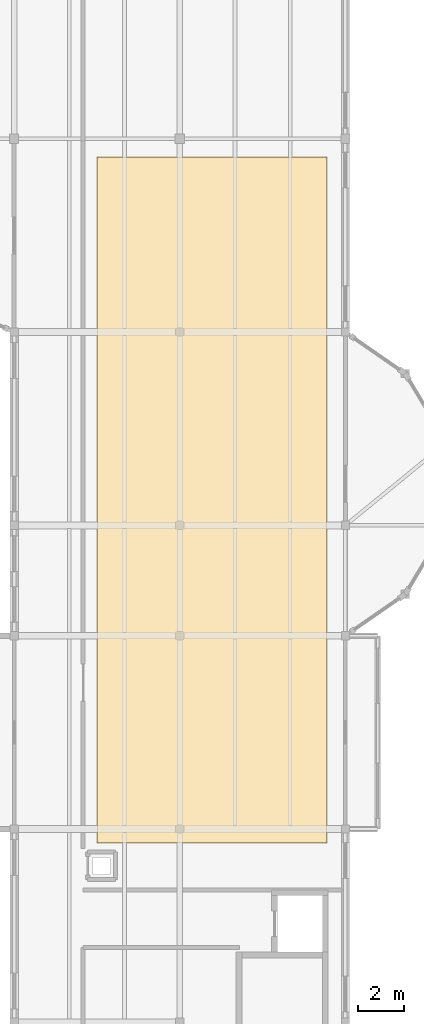
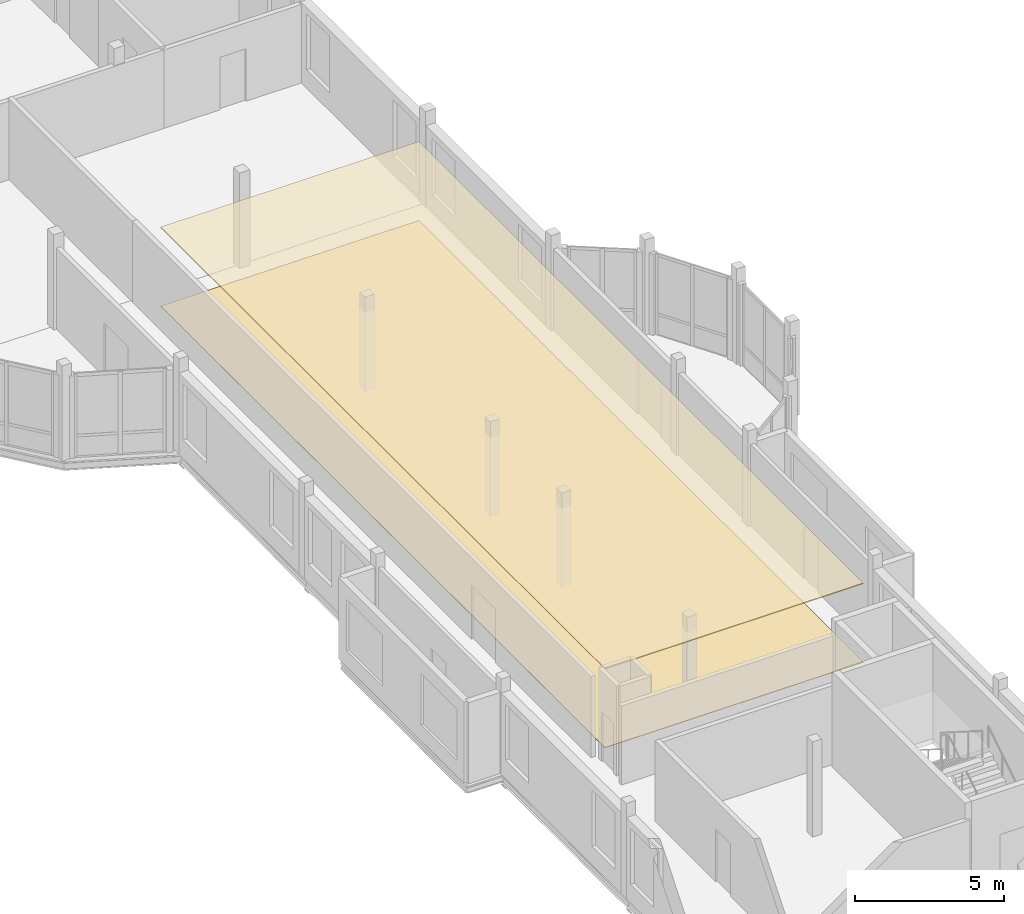
# One storey, part 34 of 34: 2 coverings.
"""IFC4 building model written with IfcOpenShell, lengths in metres."""

from ifc_helpers import new_model, si_unit, direction, frame, origin, place, context, subcontext, project, spatial, polyline, outline, extrude, material, layer, layer_set, type_object, element, save


model = new_model("IFC4")

# Units and contexts
model_context = context("Model", 3, precision=1e-05, world=origin(), true_north=direction((0.0, 1.0)))
body_context = subcontext(model_context, "Body", "Model", "MODEL_VIEW")
ifc_project = project(units=[si_unit("LENGTHUNIT", "METRE"), si_unit("AREAUNIT", "SQUARE_METRE"), si_unit("VOLUMEUNIT", "CUBIC_METRE"), si_unit("PLANEANGLEUNIT", "RADIAN"), si_unit("MASSUNIT", "GRAM", prefix="KILO")], contexts=[model_context])

# Site, building, storey
site_placement = place(None, origin())
site = spatial("IfcSite", under=ifc_project, at=site_placement, CompositionType="ELEMENT")
building_placement = place(site_placement, origin())
building = spatial("IfcBuilding", under=site, at=building_placement, Name="Kahlenmark Community Centre", CompositionType="ELEMENT")
storey_placement = place(building_placement, frame((0.0, 0.0, 17.699951171875)))
storey = spatial("IfcBuildingStorey", under=building, at=storey_placement, Name="L04", CompositionType="ELEMENT", Elevation=17.699951171875)

# Coverings
ifc_material_1 = material(Name="Perforated birch acoustic ceiling panel")
ifc_layer_1 = layer(ifc_material_1, 0.0400390625)
ifc_layer_set_1 = layer_set([ifc_layer_1], Name="Perforated birch acoustic ceiling panel")
covering_type_1 = type_object("IfcCoveringType", Name="CVT-CEIL-ACOUST", PredefinedType="CEILING", material=ifc_layer_set_1)
covering_1_placement = place(storey_placement, frame((0.0, 0.0, 3.219970703125)))
element("IfcCovering", 1, at=covering_1_placement, inside=storey, type_object=covering_type_1, Name="Acoustic birch ceiling 08", PredefinedType="CEILING", context=body_context, shape_type="SweptSolid", body=[
    extrude(outline(polyline([(76.0, 67.0), (86.0, 67.0), (86.0, 96.800048828125), (76.0, 96.800048828125), (76.0, 67.0)])), origin(), (0.0, 0.0, 1.0), 0.0400390625),
])
ifc_material_2 = material(Name="Oiled European oak parquet flooring")
ifc_layer_2 = layer(ifc_material_2, 0.02490234375)
ifc_layer_set_2 = layer_set([ifc_layer_2], Name="Oiled European oak parquet flooring")
covering_type_2 = type_object("IfcCoveringType", Name="CVT-FLR-OAK", PredefinedType="FLOORING", material=ifc_layer_set_2)
covering_2_placement = place(storey_placement, origin())
element("IfcCovering", 2, at=covering_2_placement, inside=storey, type_object=covering_type_2, Name="European oak parquet flooring 07", PredefinedType="FLOORING", context=body_context, shape_type="SweptSolid", body=[
    extrude(outline(polyline([(76.0, 67.0), (86.0, 67.0), (86.0, 96.800048828125), (76.0, 96.800048828125), (76.0, 67.0)])), origin(), (0.0, 0.0, 1.0), 0.025146484375),
])

save(model, "model.ifc")
